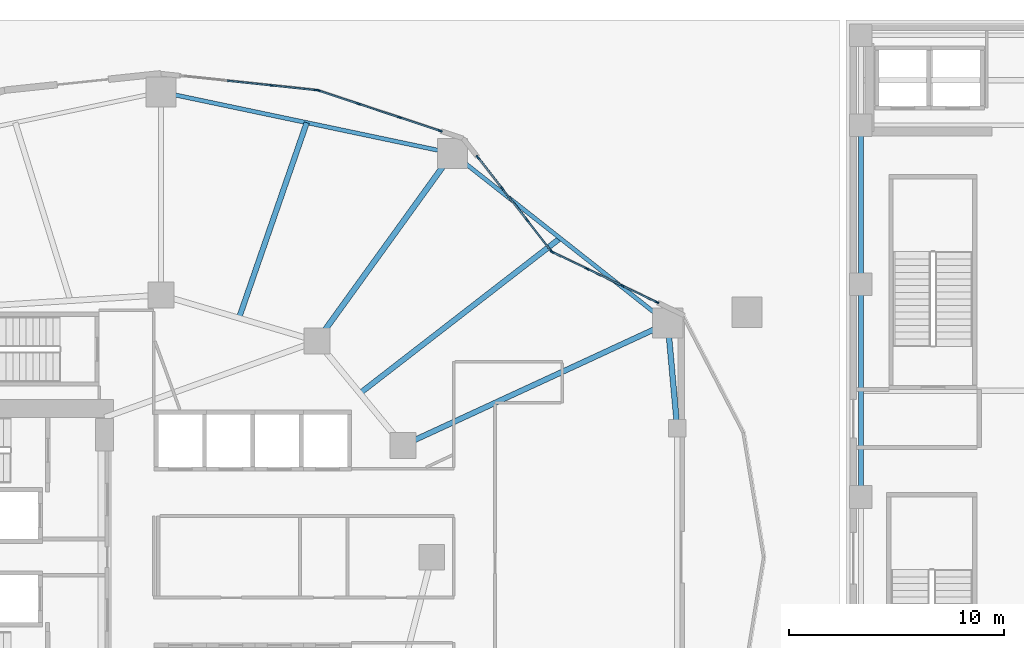
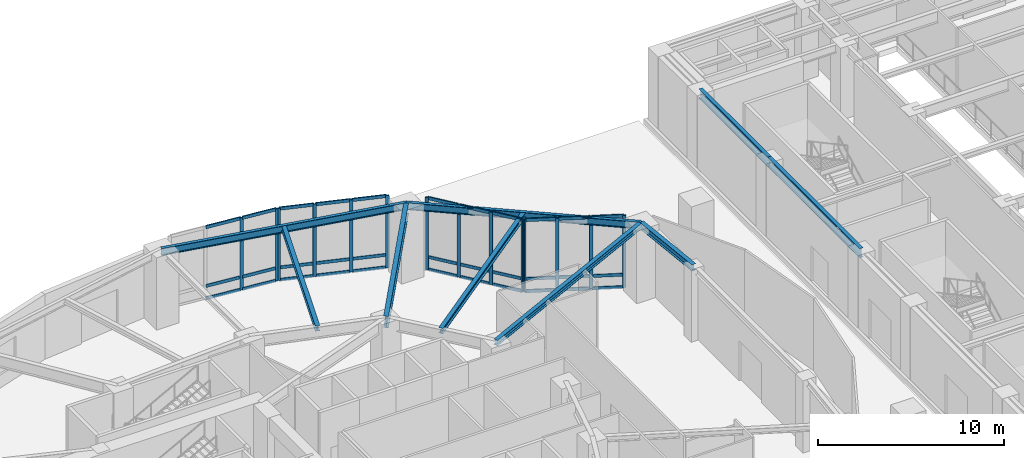
# One storey, part 7 of 23: 47 members, 9 beams, 4 elements without a shape of their own.
"""IFC4 building model written with IfcOpenShell, lengths in metres."""

import ifcopenshell
import ifcopenshell.guid

model = None  # the IFC model being written
_history = None  # IfcOwnerHistory: only IFC2X3 demands one
_inside = {}  # id of a spatial element -> (the spatial element, [elements in it])
_under = {}  # id of a project, library or spatial element -> (it, [spatial elements below it])
_declared = {}  # id of a project -> (the project, [libraries it declares])
_typed = {}  # id of a type object -> (the type object, [elements of that type])
_made_of = {}  # id of a material, layer set ... -> (it, [elements and type objects made of it])


def new_model(schema):
    """Start an empty IFC model of exactly this schema.

    Asked for "IFC4X3", IfcOpenShell would pick the latest addendum, in which some entities
    have other attributes; the version numbers below select the first issue.
    IFC2X3 requires an IfcOwnerHistory on every rooted entity: one is made here for all.
    """
    global model, _history
    if schema == "IFC4X3":
        model = ifcopenshell.file(schema_version=(4, 3, 0, 0))
    else:
        model = ifcopenshell.file(schema=schema)
    _inside.clear()
    _under.clear()
    _declared.clear()
    _typed.clear()
    _made_of.clear()
    _history = None
    if model.schema == "IFC2X3":
        org = make("IfcOrganization", Name="unknown")
        user = make(
            "IfcPersonAndOrganization",
            ThePerson=make("IfcPerson", FamilyName="unknown"),
            TheOrganization=org,
        )
        app = make(
            "IfcApplication",
            ApplicationDeveloper=org,
            Version="unknown",
            ApplicationFullName="unknown",
            ApplicationIdentifier="unknown",
        )
        _history = make(
            "IfcOwnerHistory",
            OwningUser=user,
            OwningApplication=app,
            ChangeAction="ADDED",
            CreationDate=0,
        )
    return model


def make(cls, **values):
    """One entity of the class cls with the attributes given. An attribute that is None is left unset."""
    return model.create_entity(
        cls, **{name: value for name, value in values.items() if value is not None}
    )


def rooted(cls, **values):
    """An entity with a GlobalId (a new one), such as an element, a storey or a relation."""
    return make(cls, GlobalId=ifcopenshell.guid.new(), OwnerHistory=_history, **values)


def si_unit(unit_type, name, prefix=None):
    """IfcSIUnit, for example si_unit("LENGTHUNIT", "METRE", prefix="MILLI")."""
    return make("IfcSIUnit", UnitType=unit_type, Prefix=prefix, Name=name)


def assignment(units):
    """IfcUnitAssignment: the units of a project."""
    return None if units is None else make("IfcUnitAssignment", Units=units)


def point(xyz):
    """IfcCartesianPoint."""
    return None if xyz is None else make("IfcCartesianPoint", Coordinates=xyz)


def direction(xyz):
    """IfcDirection."""
    return None if xyz is None else make("IfcDirection", DirectionRatios=xyz)


def frame(location, z_axis=None, x_axis=None):
    """IfcAxis2Placement3D, a coordinate frame: its origin and axes. An axis left out is left unset."""
    return make(
        "IfcAxis2Placement3D",
        Location=point(location),
        Axis=direction(z_axis),
        RefDirection=direction(x_axis),
    )


def frame_2d(location, x_axis=None):
    """IfcAxis2Placement2D, a coordinate frame in the plane: its origin and x axis."""
    return make(
        "IfcAxis2Placement2D", Location=point(location), RefDirection=direction(x_axis)
    )


def origin():
    """The frame at (0, 0, 0) with its axes left unset."""
    return frame((0.0, 0.0, 0.0))


def origin_2d():
    """The frame at (0, 0) in the plane with its x axis left unset."""
    return frame_2d((0.0, 0.0))


def place(relative_to, where):
    """IfcLocalPlacement: puts the frame where relative to a parent placement (None: the world)."""
    return make(
        "IfcLocalPlacement", PlacementRelTo=relative_to, RelativePlacement=where
    )


def context(
    kind, dimensions, precision=None, world=None, true_north=None, identifier=None
):
    """IfcGeometricRepresentationContext, for example the 3D "Model" context."""
    return make(
        "IfcGeometricRepresentationContext",
        ContextIdentifier=identifier,
        ContextType=kind,
        CoordinateSpaceDimension=dimensions,
        Precision=precision,
        WorldCoordinateSystem=world,
        TrueNorth=true_north,
    )


def subcontext(parent, identifier, kind, view, scale=None):
    """IfcGeometricRepresentationSubContext, for example "Body" below "Model"."""
    return make(
        "IfcGeometricRepresentationSubContext",
        ContextIdentifier=identifier,
        ContextType=kind,
        ParentContext=parent,
        TargetScale=scale,
        TargetView=view,
    )


def project(units=None, contexts=None):
    """IfcProject with its units and contexts."""
    return rooted(
        "IfcProject",
        Name="project",
        RepresentationContexts=contexts,
        UnitsInContext=assignment(units),
    )


def spatial(cls, under=None, at=None, **own):
    """A site, building, storey or space (cls), placed at a placement, below another one or the project."""
    s = rooted(cls, ObjectPlacement=at, **own)
    if under is not None:
        _under.setdefault(under.id(), (under, []))[1].append(s)
    return s


def profile(cls, at=None, kind="AREA", **sizes):
    """A parametric profile (cls). Its sizes go by their IFC names, for example OverallWidth=200.0."""
    return make(cls, ProfileType=kind, Position=at, **sizes)


def rectangle(**sizes):
    """IfcRectangleProfileDef."""
    return profile("IfcRectangleProfileDef", **sizes)


def i_section(**sizes):
    """IfcIShapeProfileDef."""
    return profile("IfcIShapeProfileDef", **sizes)


def extrude(swept, where, along, depth):
    """IfcExtrudedAreaSolid: the profile swept, set in the frame where, extruded along a direction by depth."""
    return make(
        "IfcExtrudedAreaSolid",
        SweptArea=swept,
        Position=where,
        ExtrudedDirection=direction(along),
        Depth=depth,
    )


def shape(context_of_items, identifier, shape_type, items):
    """IfcShapeRepresentation: the items that make up one representation, for example the "Body"."""
    return make(
        "IfcShapeRepresentation",
        ContextOfItems=context_of_items,
        RepresentationIdentifier=identifier,
        RepresentationType=shape_type,
        Items=items,
    )


def material(Name=None, Category=None):
    """IfcMaterial."""
    return make("IfcMaterial", Name=Name, Category=Category)


def layer(
    of_material, thickness, ventilated=None, Name=None, Category=None, Priority=None
):
    """IfcMaterialLayer: one layer of a wall or slab, of a material (None: an air gap)."""
    return make(
        "IfcMaterialLayer",
        Material=of_material,
        LayerThickness=thickness,
        IsVentilated=ventilated,
        Name=Name,
        Category=Category,
        Priority=Priority,
    )


def layer_set(layers, Name=None):
    """IfcMaterialLayerSet."""
    return make("IfcMaterialLayerSet", MaterialLayers=layers, LayerSetName=Name)


def material_profile(
    of_material, cross_section, Name=None, Category=None, Priority=None
):
    """IfcMaterialProfile: a cross section and its material."""
    return make(
        "IfcMaterialProfile",
        Name=Name,
        Material=of_material,
        Profile=cross_section,
        Priority=Priority,
        Category=Category,
    )


def profile_set(profiles, Name=None, composite=None):
    """IfcMaterialProfileSet."""
    return make(
        "IfcMaterialProfileSet",
        Name=Name,
        MaterialProfiles=profiles,
        CompositeProfile=composite,
    )


def made_of(thing, what):
    """Note that an element or type object is made of a material, layer set ...; save() writes the relation."""
    if what is not None:
        _made_of.setdefault(what.id(), (what, []))[1].append(thing)
    return thing


def type_object(cls, material=None, **own):
    """A type object (cls), such as IfcWallType, which elements share."""
    return made_of(rooted(cls, **own), material)


def element(
    cls,
    number,
    at=None,
    inside=None,
    cuts=None,
    type_object=None,
    material=None,
    context=None,
    identifier="Body",
    shape_type=None,
    held_by="IfcProductDefinitionShape",
    body=None,
    shapes=None,
    **own,
):
    """One element of the class cls, such as IfcWall. Its Tag is "e" and its number.

    at: its placement. inside: the storey or other place that contains it. cuts: it is an
    opening in that element (IfcRelVoidsElement). A single representation is given by context,
    identifier, shape_type and body (its items); several are given by shapes. held_by: the class
    of the entity that holds the representations. save() writes the other relations.
    """
    e = rooted(cls, Tag="e%d" % number, ObjectPlacement=at, **own)
    if body is not None:
        shapes = [shape(context, identifier, shape_type, body)]
    if shapes is not None:
        e.Representation = make(held_by, Representations=shapes)
    if inside is not None:
        _inside.setdefault(inside.id(), (inside, []))[1].append(e)
    if cuts is not None:
        rooted(
            "IfcRelVoidsElement", RelatingBuildingElement=cuts, RelatedOpeningElement=e
        )
    if type_object is not None:
        _typed.setdefault(type_object.id(), (type_object, []))[1].append(e)
    return made_of(e, material)


def aggregate(whole, parts):
    """IfcRelAggregates: a whole, such as a stair, and the parts it consists of."""
    return rooted("IfcRelAggregates", RelatingObject=whole, RelatedObjects=parts)


def save(model, path):
    """Write the relations noted so far, then the file.

    IfcRelAggregates (storeys below a building ...), IfcRelContainedInSpatialStructure (elements
    in a storey), IfcRelDefinesByType, IfcRelAssociatesMaterial and IfcRelDeclares: one each for
    every whole, place, type object, material and project.
    """
    for whole, parts in _under.values():
        aggregate(whole, parts)
    for where, things in _inside.values():
        rooted(
            "IfcRelContainedInSpatialStructure",
            RelatedElements=things,
            RelatingStructure=where,
        )
    for kind, things in _typed.values():
        rooted("IfcRelDefinesByType", RelatedObjects=things, RelatingType=kind)
    for what, things in _made_of.values():
        rooted("IfcRelAssociatesMaterial", RelatedObjects=things, RelatingMaterial=what)
    for by, libraries in _declared.values():
        rooted("IfcRelDeclares", RelatingContext=by, RelatedDefinitions=libraries)
    model.write(path)


model = new_model("IFC4")

# Units and contexts
model_context = context("Model", 3, precision=1e-05, world=origin(), true_north=direction((0.0, 1.0)))
body_context = subcontext(model_context, "Body", "Model", "MODEL_VIEW")
ifc_project = project(units=[si_unit("LENGTHUNIT", "METRE"), si_unit("AREAUNIT", "SQUARE_METRE"), si_unit("VOLUMEUNIT", "CUBIC_METRE"), si_unit("PLANEANGLEUNIT", "RADIAN"), si_unit("MASSUNIT", "GRAM", prefix="KILO")], contexts=[model_context])

# Site, building, storey
site_placement = place(None, origin())
site = spatial("IfcSite", under=ifc_project, at=site_placement, CompositionType="ELEMENT")
building_placement = place(site_placement, origin())
building = spatial("IfcBuilding", under=site, at=building_placement, Name="Kolvaren Gate Tower and Convention Centre", CompositionType="ELEMENT")
storey_placement = place(building_placement, origin())
storey = spatial("IfcBuildingStorey", under=building, at=storey_placement, Name="L00", CompositionType="ELEMENT", Elevation=0.0)

# Curtain wall, members
ifc_material_1 = material(Name="Anodized Architectural Aluminium Alloy 6063-T6", Category="aluminium")
ifc_layer = layer(ifc_material_1, 0.179931640625)
ifc_layer_set = layer_set([ifc_layer], Name="Anodized Architectural Aluminium Alloy 6063-T6")
curtain_wall_type = type_object("IfcCurtainWallType", Name="CW-POD-GLZ", PredefinedType="NOTDEFINED", material=ifc_layer_set)
curtain_wall_1_placement = place(storey_placement, origin())
curtain_wall_1 = element("IfcCurtainWall", 1, at=curtain_wall_1_placement, inside=storey, type_object=curtain_wall_type, Name="Tower L00 Unitised Curtain Wall CW-POD-GLZ Bay 02", PredefinedType="NOTDEFINED")
ifc_material_profile_1 = material_profile(ifc_material_1, rectangle(XDim=0.074951171875, YDim=0.199951171875, at=origin_2d()), Name="CW-MEM-MUL-200")
ifc_profile_set_1 = profile_set([ifc_material_profile_1], Name="Anodized Architectural Aluminium Alloy 6063-T6")
member_type_1 = type_object("IfcMemberType", Name="CW-MEM-MUL-200", PredefinedType="MULLION", material=ifc_profile_set_1)
member_1_placement = place(storey_placement, frame((48.34912109375, 41.196533203125, 0.0), z_axis=(0.0, 0.0, 1.0), x_axis=(0.433062688542, 0.90136380435, 0.0)))
member_1 = element("IfcMember", 2, at=member_1_placement, type_object=member_type_1, Name="CW-01 mullion 1", PredefinedType="MULLION", context=body_context, shape_type="SweptSolid", body=[
    extrude(rectangle(XDim=0.074951171875, YDim=0.199951171875, at=origin_2d()), origin(), (0.0, 0.0, 1.0), 4.739990234375),
])
member_2_placement = place(storey_placement, frame((49.955810546875, 40.424560546875, 0.0), z_axis=(0.0, 0.0, 1.0), x_axis=(0.433062688542, 0.90136380435, 0.0)))
member_2 = element("IfcMember", 3, at=member_2_placement, type_object=member_type_1, Name="CW-01 mullion 2", PredefinedType="MULLION", context=body_context, shape_type="SweptSolid", body=[
    extrude(rectangle(XDim=0.074951171875, YDim=0.199951171875, at=origin_2d()), origin(), (0.0, 0.0, 1.0), 4.739990234375),
])
member_3_placement = place(storey_placement, frame((51.59619140625, 39.636474609375, 0.0), z_axis=(0.0, 0.0, 1.0), x_axis=(0.433062688542, 0.90136380435, 0.0)))
member_3 = element("IfcMember", 4, at=member_3_placement, type_object=member_type_1, Name="CW-01 mullion 3", PredefinedType="MULLION", context=body_context, shape_type="SweptSolid", body=[
    extrude(rectangle(XDim=0.074951171875, YDim=0.199951171875, at=origin_2d()), origin(), (0.0, 0.0, 1.0), 4.739990234375),
])
member_4_placement = place(storey_placement, frame((53.202880859375, 38.864501953125, 0.0), z_axis=(0.0, 0.0, 1.0), x_axis=(0.433062688542, 0.90136380435, 0.0)))
member_4 = element("IfcMember", 5, at=member_4_placement, type_object=member_type_1, Name="CW-01 mullion 4", PredefinedType="MULLION", context=body_context, shape_type="SweptSolid", body=[
    extrude(rectangle(XDim=0.074951171875, YDim=0.199951171875, at=origin_2d()), origin(), (0.0, 0.0, 1.0), 4.739990234375),
])

curtain_wall_2_placement = place(storey_placement, origin())
curtain_wall_2 = element("IfcCurtainWall", 6, at=curtain_wall_2_placement, inside=storey, type_object=curtain_wall_type, Name="Tower L00 Unitised Curtain Wall CW-POD-GLZ Bay 03", PredefinedType="NOTDEFINED")
member_5_placement = place(storey_placement, frame((44.8740234375, 45.60888671875, 0.0), z_axis=(0.0, 0.0, 1.0), x_axis=(0.787413004527, 0.616425794643, 0.0)))
member_5 = element("IfcMember", 7, at=member_5_placement, type_object=member_type_1, Name="CW-01 mullion 1", PredefinedType="MULLION", context=body_context, shape_type="SweptSolid", body=[
    extrude(rectangle(XDim=0.074951171875, YDim=0.199951171875, at=origin_2d()), origin(), (0.0, 0.0, 1.0), 4.739990234375),
])
member_6_placement = place(storey_placement, frame((46.005615234375, 44.1630859375, 0.0), z_axis=(0.0, 0.0, 1.0), x_axis=(0.787413004527, 0.616425794643, 0.0)))
member_6 = element("IfcMember", 8, at=member_6_placement, type_object=member_type_1, Name="CW-01 mullion 2", PredefinedType="MULLION", context=body_context, shape_type="SweptSolid", body=[
    extrude(rectangle(XDim=0.074951171875, YDim=0.199951171875, at=origin_2d()), origin(), (0.0, 0.0, 1.0), 4.739990234375),
])
member_7_placement = place(storey_placement, frame((47.160400390625, 42.68798828125, 0.0), z_axis=(0.0, 0.0, 1.0), x_axis=(0.787413004527, 0.616425794643, 0.0)))
member_7 = element("IfcMember", 9, at=member_7_placement, type_object=member_type_1, Name="CW-01 mullion 3", PredefinedType="MULLION", context=body_context, shape_type="SweptSolid", body=[
    extrude(rectangle(XDim=0.074951171875, YDim=0.199951171875, at=origin_2d()), origin(), (0.0, 0.0, 1.0), 4.739990234375),
])
member_8_placement = place(storey_placement, frame((48.292236328125, 41.242431640625, 0.0), z_axis=(0.0, 0.0, 1.0), x_axis=(0.787413004527, 0.616425794643, 0.0)))
member_8 = element("IfcMember", 10, at=member_8_placement, type_object=member_type_1, Name="CW-01 mullion 4", PredefinedType="MULLION", context=body_context, shape_type="SweptSolid", body=[
    extrude(rectangle(XDim=0.074951171875, YDim=0.199951171875, at=origin_2d()), origin(), (0.0, 0.0, 1.0), 4.739990234375),
])

curtain_wall_3_placement = place(storey_placement, origin())
curtain_wall_3 = element("IfcCurtainWall", 11, at=curtain_wall_3_placement, inside=storey, type_object=curtain_wall_type, Name="Tower L00 Unitised Curtain Wall CW-POD-GLZ Bay 04", PredefinedType="NOTDEFINED")
member_9_placement = place(storey_placement, frame((37.43994140625, 48.721435546875, 0.0), z_axis=(0.0, 0.0, 1.0), x_axis=(0.314541602786, 0.949243688479, 0.0)))
member_9 = element("IfcMember", 12, at=member_9_placement, type_object=member_type_1, Name="CW-01 mullion 1", PredefinedType="MULLION", context=body_context, shape_type="SweptSolid", body=[
    extrude(rectangle(XDim=0.074951171875, YDim=0.199951171875, at=origin_2d()), origin(), (0.0, 0.0, 1.0), 4.739990234375),
])
member_10_placement = place(storey_placement, frame((39.31884765625, 48.098876953125, 0.0), z_axis=(0.0, 0.0, 1.0), x_axis=(0.314541602786, 0.949243688479, 0.0)))
member_10 = element("IfcMember", 13, at=member_10_placement, type_object=member_type_1, Name="CW-01 mullion 2", PredefinedType="MULLION", context=body_context, shape_type="SweptSolid", body=[
    extrude(rectangle(XDim=0.074951171875, YDim=0.199951171875, at=origin_2d()), origin(), (0.0, 0.0, 1.0), 4.739990234375),
])
member_11_placement = place(storey_placement, frame((41.233642578125, 47.46435546875, 0.0), z_axis=(0.0, 0.0, 1.0), x_axis=(0.314541602786, 0.949243688479, 0.0)))
member_11 = element("IfcMember", 14, at=member_11_placement, type_object=member_type_1, Name="CW-01 mullion 3", PredefinedType="MULLION", context=body_context, shape_type="SweptSolid", body=[
    extrude(rectangle(XDim=0.074951171875, YDim=0.199951171875, at=origin_2d()), origin(), (0.0, 0.0, 1.0), 4.739990234375),
])
member_12_placement = place(storey_placement, frame((43.112548828125, 46.841796875, 0.0), z_axis=(0.0, 0.0, 1.0), x_axis=(0.314541602786, 0.949243688479, 0.0)))
member_12 = element("IfcMember", 15, at=member_12_placement, type_object=member_type_1, Name="CW-01 mullion 4", PredefinedType="MULLION", context=body_context, shape_type="SweptSolid", body=[
    extrude(rectangle(XDim=0.074951171875, YDim=0.199951171875, at=origin_2d()), origin(), (0.0, 0.0, 1.0), 4.739990234375),
])

curtain_wall_4_placement = place(storey_placement, origin())
curtain_wall_4 = element("IfcCurtainWall", 16, at=curtain_wall_4_placement, inside=storey, type_object=curtain_wall_type, Name="Tower L00 Unitised Curtain Wall CW-POD-GLZ Bay 05", PredefinedType="NOTDEFINED")
member_13_placement = place(storey_placement, frame((35.285888671875, 48.95654296875, 0.0), z_axis=(0.0, 0.0, 1.0), x_axis=(0.104748319841, 0.994498762941, 0.0)))
member_13 = element("IfcMember", 17, at=member_13_placement, type_object=member_type_1, Name="CW-01 mullion 3", PredefinedType="MULLION", context=body_context, shape_type="SweptSolid", body=[
    extrude(rectangle(XDim=0.074951171875, YDim=0.199951171875, at=origin_2d()), origin(), (0.0, 0.0, 1.0), 4.739990234375),
])
member_14_placement = place(storey_placement, frame((37.366943359375, 48.7373046875, 0.0), z_axis=(0.0, 0.0, 1.0), x_axis=(0.104748319841, 0.994498762941, 0.0)))
member_14 = element("IfcMember", 18, at=member_14_placement, type_object=member_type_1, Name="CW-01 mullion 4", PredefinedType="MULLION", context=body_context, shape_type="SweptSolid", body=[
    extrude(rectangle(XDim=0.074951171875, YDim=0.199951171875, at=origin_2d()), origin(), (0.0, 0.0, 1.0), 4.739990234375),
])

# Member
ifc_material_profile_2 = material_profile(ifc_material_1, rectangle(XDim=0.074951171875, YDim=0.199951171875, at=origin_2d()), Name="CW-MEM-TRN-200")
ifc_profile_set_2 = profile_set([ifc_material_profile_2], Name="Anodized Architectural Aluminium Alloy 6063-T6")
member_type_2 = type_object("IfcMemberType", Name="CW-MEM-TRN-200", PredefinedType="USERDEFINED", material=ifc_profile_set_2)
member_15_placement = place(storey_placement, frame((48.3828125, 41.180419921875, 0.03759765625), z_axis=(0.9013511863, -0.433088950397, 0.0), x_axis=(0.433088950397, 0.9013511863, 0.0)))
member_15 = element("IfcMember", 19, at=member_15_placement, type_object=member_type_2, Name="CW-01 transom 1.1", ObjectType="TRANSOM", PredefinedType="USERDEFINED", context=body_context, shape_type="SweptSolid", body=[
    extrude(rectangle(XDim=0.074951171875, YDim=0.199951171875, at=origin_2d()), origin(), (0.0, 0.0, 1.0), 1.70751953125),
])

member_16_placement = place(storey_placement, frame((48.3828125, 41.180419921875, 0.85009765625), z_axis=(0.9013511863, -0.433088950397, 0.0), x_axis=(0.433088950397, 0.9013511863, 0.0)))
member_16 = element("IfcMember", 20, at=member_16_placement, type_object=member_type_2, Name="CW-01 transom 1.2", ObjectType="TRANSOM", PredefinedType="USERDEFINED", context=body_context, shape_type="SweptSolid", body=[
    extrude(rectangle(XDim=0.074951171875, YDim=0.199951171875, at=origin_2d()), origin(), (0.0, 0.0, 1.0), 1.70751953125),
])

member_17_placement = place(storey_placement, frame((48.3828125, 41.180419921875, 4.702392578125), z_axis=(0.9013511863, -0.433088950397, 0.0), x_axis=(0.433088950397, 0.9013511863, 0.0)))
member_17 = element("IfcMember", 21, at=member_17_placement, type_object=member_type_2, Name="CW-01 transom 1.3", ObjectType="TRANSOM", PredefinedType="USERDEFINED", context=body_context, shape_type="SweptSolid", body=[
    extrude(rectangle(XDim=0.074951171875, YDim=0.199951171875, at=origin_2d()), origin(), (0.0, 0.0, 1.0), 1.70751953125),
])

member_18_placement = place(storey_placement, frame((49.989501953125, 40.408447265625, 0.03759765625), z_axis=(0.901339603895, -0.433113055046, 0.0), x_axis=(0.433113055046, 0.901339603895, 0.0)))
member_18 = element("IfcMember", 22, at=member_18_placement, type_object=member_type_2, Name="CW-01 transom 2.1", ObjectType="TRANSOM", PredefinedType="USERDEFINED", context=body_context, shape_type="SweptSolid", body=[
    extrude(rectangle(XDim=0.074951171875, YDim=0.199951171875, at=origin_2d()), origin(), (0.0, 0.0, 1.0), 1.7451171875),
])

member_19_placement = place(storey_placement, frame((49.989501953125, 40.408447265625, 0.85009765625), z_axis=(0.901339603895, -0.433113055046, 0.0), x_axis=(0.433113055046, 0.901339603895, 0.0)))
member_19 = element("IfcMember", 23, at=member_19_placement, type_object=member_type_2, Name="CW-01 transom 2.2", ObjectType="TRANSOM", PredefinedType="USERDEFINED", context=body_context, shape_type="SweptSolid", body=[
    extrude(rectangle(XDim=0.074951171875, YDim=0.199951171875, at=origin_2d()), origin(), (0.0, 0.0, 1.0), 1.7451171875),
])

member_20_placement = place(storey_placement, frame((49.989501953125, 40.408447265625, 4.702392578125), z_axis=(0.901339603895, -0.433113055046, 0.0), x_axis=(0.433113055046, 0.901339603895, 0.0)))
member_20 = element("IfcMember", 24, at=member_20_placement, type_object=member_type_2, Name="CW-01 transom 2.3", ObjectType="TRANSOM", PredefinedType="USERDEFINED", context=body_context, shape_type="SweptSolid", body=[
    extrude(rectangle(XDim=0.074951171875, YDim=0.199951171875, at=origin_2d()), origin(), (0.0, 0.0, 1.0), 1.7451171875),
])

member_21_placement = place(storey_placement, frame((51.630126953125, 39.6201171875, 0.03759765625), z_axis=(0.901406997018, -0.432972777121, 0.0), x_axis=(0.432972777121, 0.901406997018, 0.0)))
member_21 = element("IfcMember", 25, at=member_21_placement, type_object=member_type_2, Name="CW-01 transom 3.1", ObjectType="TRANSOM", PredefinedType="USERDEFINED", context=body_context, shape_type="SweptSolid", body=[
    extrude(rectangle(XDim=0.074951171875, YDim=0.199951171875, at=origin_2d()), origin(), (0.0, 0.0, 1.0), 1.70751953125),
])

member_22_placement = place(storey_placement, frame((51.630126953125, 39.6201171875, 0.85009765625), z_axis=(0.901406997018, -0.432972777121, 0.0), x_axis=(0.432972777121, 0.901406997018, 0.0)))
member_22 = element("IfcMember", 26, at=member_22_placement, type_object=member_type_2, Name="CW-01 transom 3.2", ObjectType="TRANSOM", PredefinedType="USERDEFINED", context=body_context, shape_type="SweptSolid", body=[
    extrude(rectangle(XDim=0.074951171875, YDim=0.199951171875, at=origin_2d()), origin(), (0.0, 0.0, 1.0), 1.70751953125),
])

member_23_placement = place(storey_placement, frame((51.630126953125, 39.6201171875, 4.702392578125), z_axis=(0.901406997018, -0.432972777121, 0.0), x_axis=(0.432972777121, 0.901406997018, 0.0)))
member_23 = element("IfcMember", 27, at=member_23_placement, type_object=member_type_2, Name="CW-01 transom 3.3", ObjectType="TRANSOM", PredefinedType="USERDEFINED", context=body_context, shape_type="SweptSolid", body=[
    extrude(rectangle(XDim=0.074951171875, YDim=0.199951171875, at=origin_2d()), origin(), (0.0, 0.0, 1.0), 1.70751953125),
])

aggregate(curtain_wall_1, [member_1, member_2, member_3, member_4, member_15, member_16, member_17, member_18, member_19, member_20, member_21, member_22, member_23])

member_24_placement = place(storey_placement, frame((44.89697265625, 45.579345703125, 0.03759765625), z_axis=(0.616375545802, -0.787452339216, 0.0), x_axis=(0.787452339216, 0.616375545802, 0.0)))
member_24 = element("IfcMember", 28, at=member_24_placement, type_object=member_type_2, Name="CW-01 transom 1.1", ObjectType="TRANSOM", PredefinedType="USERDEFINED", context=body_context, shape_type="SweptSolid", body=[
    extrude(rectangle(XDim=0.074951171875, YDim=0.199951171875, at=origin_2d()), origin(), (0.0, 0.0, 1.0), 1.760986328125),
])

member_25_placement = place(storey_placement, frame((44.89697265625, 45.579345703125, 0.85009765625), z_axis=(0.616375545802, -0.787452339216, 0.0), x_axis=(0.787452339216, 0.616375545802, 0.0)))
member_25 = element("IfcMember", 29, at=member_25_placement, type_object=member_type_2, Name="CW-01 transom 1.2", ObjectType="TRANSOM", PredefinedType="USERDEFINED", context=body_context, shape_type="SweptSolid", body=[
    extrude(rectangle(XDim=0.074951171875, YDim=0.199951171875, at=origin_2d()), origin(), (0.0, 0.0, 1.0), 1.760986328125),
])

member_26_placement = place(storey_placement, frame((44.89697265625, 45.579345703125, 4.702392578125), z_axis=(0.616375545802, -0.787452339216, 0.0), x_axis=(0.787452339216, 0.616375545802, 0.0)))
member_26 = element("IfcMember", 30, at=member_26_placement, type_object=member_type_2, Name="CW-01 transom 1.3", ObjectType="TRANSOM", PredefinedType="USERDEFINED", context=body_context, shape_type="SweptSolid", body=[
    extrude(rectangle(XDim=0.074951171875, YDim=0.199951171875, at=origin_2d()), origin(), (0.0, 0.0, 1.0), 1.760986328125),
])

member_27_placement = place(storey_placement, frame((46.02880859375, 44.133544921875, 0.03759765625), z_axis=(0.616465649316, -0.787381802694, 0.0), x_axis=(0.787381802694, 0.616465649316, 0.0)))
member_27 = element("IfcMember", 31, at=member_27_placement, type_object=member_type_2, Name="CW-01 transom 2.1", ObjectType="TRANSOM", PredefinedType="USERDEFINED", context=body_context, shape_type="SweptSolid", body=[
    extrude(rectangle(XDim=0.074951171875, YDim=0.199951171875, at=origin_2d()), origin(), (0.0, 0.0, 1.0), 1.79833984375),
])

member_28_placement = place(storey_placement, frame((46.02880859375, 44.133544921875, 0.85009765625), z_axis=(0.616465649316, -0.787381802694, 0.0), x_axis=(0.787381802694, 0.616465649316, 0.0)))
member_28 = element("IfcMember", 32, at=member_28_placement, type_object=member_type_2, Name="CW-01 transom 2.2", ObjectType="TRANSOM", PredefinedType="USERDEFINED", context=body_context, shape_type="SweptSolid", body=[
    extrude(rectangle(XDim=0.074951171875, YDim=0.199951171875, at=origin_2d()), origin(), (0.0, 0.0, 1.0), 1.79833984375),
])

member_29_placement = place(storey_placement, frame((46.02880859375, 44.133544921875, 4.702392578125), z_axis=(0.616465649316, -0.787381802694, 0.0), x_axis=(0.787381802694, 0.616465649316, 0.0)))
member_29 = element("IfcMember", 33, at=member_29_placement, type_object=member_type_2, Name="CW-01 transom 2.3", ObjectType="TRANSOM", PredefinedType="USERDEFINED", context=body_context, shape_type="SweptSolid", body=[
    extrude(rectangle(XDim=0.074951171875, YDim=0.199951171875, at=origin_2d()), origin(), (0.0, 0.0, 1.0), 1.79833984375),
])

member_30_placement = place(storey_placement, frame((47.18359375, 42.658447265625, 0.03759765625), z_axis=(0.616442840137, -0.787399660175, 0.0), x_axis=(0.787399660175, 0.616442840137, 0.0)))
member_30 = element("IfcMember", 34, at=member_30_placement, type_object=member_type_2, Name="CW-01 transom 3.1", ObjectType="TRANSOM", PredefinedType="USERDEFINED", context=body_context, shape_type="SweptSolid", body=[
    extrude(rectangle(XDim=0.074951171875, YDim=0.199951171875, at=origin_2d()), origin(), (0.0, 0.0, 1.0), 1.7607421875),
])

member_31_placement = place(storey_placement, frame((47.18359375, 42.658447265625, 0.85009765625), z_axis=(0.616442840137, -0.787399660175, 0.0), x_axis=(0.787399660175, 0.616442840137, 0.0)))
member_31 = element("IfcMember", 35, at=member_31_placement, type_object=member_type_2, Name="CW-01 transom 3.2", ObjectType="TRANSOM", PredefinedType="USERDEFINED", context=body_context, shape_type="SweptSolid", body=[
    extrude(rectangle(XDim=0.074951171875, YDim=0.199951171875, at=origin_2d()), origin(), (0.0, 0.0, 1.0), 1.7607421875),
])

member_32_placement = place(storey_placement, frame((47.18359375, 42.658447265625, 4.702392578125), z_axis=(0.616442840137, -0.787399660175, 0.0), x_axis=(0.787399660175, 0.616442840137, 0.0)))
member_32 = element("IfcMember", 36, at=member_32_placement, type_object=member_type_2, Name="CW-01 transom 3.3", ObjectType="TRANSOM", PredefinedType="USERDEFINED", context=body_context, shape_type="SweptSolid", body=[
    extrude(rectangle(XDim=0.074951171875, YDim=0.199951171875, at=origin_2d()), origin(), (0.0, 0.0, 1.0), 1.7607421875),
])

aggregate(curtain_wall_2, [member_5, member_6, member_7, member_8, member_24, member_25, member_26, member_27, member_28, member_29, member_30, member_31, member_32])

member_33_placement = place(storey_placement, frame((37.4755859375, 48.709716796875, 0.03759765625), z_axis=(0.949233065789, -0.314573658804, 0.0), x_axis=(0.314573658804, 0.949233065789, 0.0)))
member_33 = element("IfcMember", 37, at=member_33_placement, type_object=member_type_2, Name="CW-01 transom 1.1", ObjectType="TRANSOM", PredefinedType="USERDEFINED", context=body_context, shape_type="SweptSolid", body=[
    extrude(rectangle(XDim=0.074951171875, YDim=0.199951171875, at=origin_2d()), origin(), (0.0, 0.0, 1.0), 1.904541015625),
])

member_34_placement = place(storey_placement, frame((37.4755859375, 48.709716796875, 0.85009765625), z_axis=(0.949233065789, -0.314573658804, 0.0), x_axis=(0.314573658804, 0.949233065789, 0.0)))
member_34 = element("IfcMember", 38, at=member_34_placement, type_object=member_type_2, Name="CW-01 transom 1.2", ObjectType="TRANSOM", PredefinedType="USERDEFINED", context=body_context, shape_type="SweptSolid", body=[
    extrude(rectangle(XDim=0.074951171875, YDim=0.199951171875, at=origin_2d()), origin(), (0.0, 0.0, 1.0), 1.904541015625),
])

member_35_placement = place(storey_placement, frame((37.4755859375, 48.709716796875, 4.702392578125), z_axis=(0.949233065789, -0.314573658804, 0.0), x_axis=(0.314573658804, 0.949233065789, 0.0)))
member_35 = element("IfcMember", 39, at=member_35_placement, type_object=member_type_2, Name="CW-01 transom 1.3", ObjectType="TRANSOM", PredefinedType="USERDEFINED", context=body_context, shape_type="SweptSolid", body=[
    extrude(rectangle(XDim=0.074951171875, YDim=0.199951171875, at=origin_2d()), origin(), (0.0, 0.0, 1.0), 1.904541015625),
])

member_36_placement = place(storey_placement, frame((39.3544921875, 48.087158203125, 0.03759765625), z_axis=(0.949247481786, -0.314530154871, 0.0), x_axis=(0.314530154871, 0.949247481786, 0.0)))
member_36 = element("IfcMember", 40, at=member_36_placement, type_object=member_type_2, Name="CW-01 transom 2.1", ObjectType="TRANSOM", PredefinedType="USERDEFINED", context=body_context, shape_type="SweptSolid", body=[
    extrude(rectangle(XDim=0.074951171875, YDim=0.199951171875, at=origin_2d()), origin(), (0.0, 0.0, 1.0), 1.942138671875),
])

member_37_placement = place(storey_placement, frame((39.3544921875, 48.087158203125, 0.85009765625), z_axis=(0.949247481786, -0.314530154871, 0.0), x_axis=(0.314530154871, 0.949247481786, 0.0)))
member_37 = element("IfcMember", 41, at=member_37_placement, type_object=member_type_2, Name="CW-01 transom 2.2", ObjectType="TRANSOM", PredefinedType="USERDEFINED", context=body_context, shape_type="SweptSolid", body=[
    extrude(rectangle(XDim=0.074951171875, YDim=0.199951171875, at=origin_2d()), origin(), (0.0, 0.0, 1.0), 1.942138671875),
])

member_38_placement = place(storey_placement, frame((39.3544921875, 48.087158203125, 4.702392578125), z_axis=(0.949247481786, -0.314530154871, 0.0), x_axis=(0.314530154871, 0.949247481786, 0.0)))
member_38 = element("IfcMember", 42, at=member_38_placement, type_object=member_type_2, Name="CW-01 transom 2.3", ObjectType="TRANSOM", PredefinedType="USERDEFINED", context=body_context, shape_type="SweptSolid", body=[
    extrude(rectangle(XDim=0.074951171875, YDim=0.199951171875, at=origin_2d()), origin(), (0.0, 0.0, 1.0), 1.942138671875),
])

member_39_placement = place(storey_placement, frame((41.26904296875, 47.45263671875, 0.03759765625), z_axis=(0.949233065789, -0.314573658804, 0.0), x_axis=(0.314573658804, 0.949233065789, 0.0)))
member_39 = element("IfcMember", 43, at=member_39_placement, type_object=member_type_2, Name="CW-01 transom 3.1", ObjectType="TRANSOM", PredefinedType="USERDEFINED", context=body_context, shape_type="SweptSolid", body=[
    extrude(rectangle(XDim=0.074951171875, YDim=0.199951171875, at=origin_2d()), origin(), (0.0, 0.0, 1.0), 1.904541015625),
])

member_40_placement = place(storey_placement, frame((41.26904296875, 47.45263671875, 0.85009765625), z_axis=(0.949233065789, -0.314573658804, 0.0), x_axis=(0.314573658804, 0.949233065789, 0.0)))
member_40 = element("IfcMember", 44, at=member_40_placement, type_object=member_type_2, Name="CW-01 transom 3.2", ObjectType="TRANSOM", PredefinedType="USERDEFINED", context=body_context, shape_type="SweptSolid", body=[
    extrude(rectangle(XDim=0.074951171875, YDim=0.199951171875, at=origin_2d()), origin(), (0.0, 0.0, 1.0), 1.904541015625),
])

member_41_placement = place(storey_placement, frame((41.26904296875, 47.45263671875, 4.702392578125), z_axis=(0.949233065789, -0.314573658804, 0.0), x_axis=(0.314573658804, 0.949233065789, 0.0)))
member_41 = element("IfcMember", 45, at=member_41_placement, type_object=member_type_2, Name="CW-01 transom 3.3", ObjectType="TRANSOM", PredefinedType="USERDEFINED", context=body_context, shape_type="SweptSolid", body=[
    extrude(rectangle(XDim=0.074951171875, YDim=0.199951171875, at=origin_2d()), origin(), (0.0, 0.0, 1.0), 1.904541015625),
])

aggregate(curtain_wall_3, [member_9, member_10, member_11, member_12, member_33, member_34, member_35, member_36, member_37, member_38, member_39, member_40, member_41])

member_42_placement = place(storey_placement, frame((33.20458984375, 49.175537109375, 0.03759765625), z_axis=(0.994508706958, -0.104653866559, 0.0), x_axis=(0.104653866559, 0.994508706958, 0.0)))
member_42 = element("IfcMember", 46, at=member_42_placement, type_object=member_type_2, Name="CW-01 transom 2.1", ObjectType="TRANSOM", PredefinedType="USERDEFINED", context=body_context, shape_type="SweptSolid", body=[
    extrude(rectangle(XDim=0.074951171875, YDim=0.199951171875, at=origin_2d()), origin(), (0.0, 0.0, 1.0), 2.05517578125),
])

member_43_placement = place(storey_placement, frame((33.20458984375, 49.175537109375, 0.85009765625), z_axis=(0.994508706958, -0.104653866559, 0.0), x_axis=(0.104653866559, 0.994508706958, 0.0)))
member_43 = element("IfcMember", 47, at=member_43_placement, type_object=member_type_2, Name="CW-01 transom 2.2", ObjectType="TRANSOM", PredefinedType="USERDEFINED", context=body_context, shape_type="SweptSolid", body=[
    extrude(rectangle(XDim=0.074951171875, YDim=0.199951171875, at=origin_2d()), origin(), (0.0, 0.0, 1.0), 2.05517578125),
])

member_44_placement = place(storey_placement, frame((33.20458984375, 49.175537109375, 4.702392578125), z_axis=(0.994508706958, -0.104653866559, 0.0), x_axis=(0.104653866559, 0.994508706958, 0.0)))
member_44 = element("IfcMember", 48, at=member_44_placement, type_object=member_type_2, Name="CW-01 transom 2.3", ObjectType="TRANSOM", PredefinedType="USERDEFINED", context=body_context, shape_type="SweptSolid", body=[
    extrude(rectangle(XDim=0.074951171875, YDim=0.199951171875, at=origin_2d()), origin(), (0.0, 0.0, 1.0), 2.05517578125),
])

member_45_placement = place(storey_placement, frame((35.3232421875, 48.952392578125, 0.03759765625), z_axis=(0.9945074418, -0.104665888448, 0.0), x_axis=(0.104665888448, 0.9945074418, 0.0)))
member_45 = element("IfcMember", 49, at=member_45_placement, type_object=member_type_2, Name="CW-01 transom 3.1", ObjectType="TRANSOM", PredefinedType="USERDEFINED", context=body_context, shape_type="SweptSolid", body=[
    extrude(rectangle(XDim=0.074951171875, YDim=0.199951171875, at=origin_2d()), origin(), (0.0, 0.0, 1.0), 2.017578125),
])

member_46_placement = place(storey_placement, frame((35.3232421875, 48.952392578125, 0.85009765625), z_axis=(0.9945074418, -0.104665888448, 0.0), x_axis=(0.104665888448, 0.9945074418, 0.0)))
member_46 = element("IfcMember", 50, at=member_46_placement, type_object=member_type_2, Name="CW-01 transom 3.2", ObjectType="TRANSOM", PredefinedType="USERDEFINED", context=body_context, shape_type="SweptSolid", body=[
    extrude(rectangle(XDim=0.074951171875, YDim=0.199951171875, at=origin_2d()), origin(), (0.0, 0.0, 1.0), 2.017578125),
])

member_47_placement = place(storey_placement, frame((35.3232421875, 48.952392578125, 4.702392578125), z_axis=(0.9945074418, -0.104665888448, 0.0), x_axis=(0.104665888448, 0.9945074418, 0.0)))
member_47 = element("IfcMember", 51, at=member_47_placement, type_object=member_type_2, Name="CW-01 transom 3.3", ObjectType="TRANSOM", PredefinedType="USERDEFINED", context=body_context, shape_type="SweptSolid", body=[
    extrude(rectangle(XDim=0.074951171875, YDim=0.199951171875, at=origin_2d()), origin(), (0.0, 0.0, 1.0), 2.017578125),
])

aggregate(curtain_wall_4, [member_13, member_14, member_42, member_43, member_44, member_45, member_46, member_47])

# Beams
ifc_material_2 = material(Name="Structural steel ASTM A992 Grade 345 MPa", Category="steel")
ifc_material_profile_3 = material_profile(ifc_material_2, i_section(OverallWidth=0.260986328125, OverallDepth=0.419921875, WebThickness=0.01171875, FlangeThickness=0.019287109375, at=origin_2d()), Name="W410X114")
ifc_profile_set_3 = profile_set([ifc_material_profile_3], Name="Structural steel ASTM A992 Grade 345 MPa")
beam_type_1 = type_object("IfcBeamType", Name="STR-BM-W410X114", PredefinedType="BEAM", material=ifc_profile_set_3)
beam_1_placement = place(storey_placement, frame((54.14990234375, 33.0, 4.530029296875), z_axis=(-0.089491797753, 0.995987559227, 0.0), x_axis=(-0.995987559227, -0.089491797753, 0.0)))
element("IfcBeam", 52, at=beam_1_placement, inside=storey, type_object=beam_type_1, Name="Tower L00 Recessed Arch Edge Spandrel AE-3", PredefinedType="BEAM", context=body_context, shape_type="SweptSolid", body=[
    extrude(i_section(OverallWidth=0.260986328125, OverallDepth=0.419921875, WebThickness=0.01171875, FlangeThickness=0.019287109375, at=origin_2d()), origin(), (0.0, 0.0, 1.0), 4.913330078125),
])
ifc_material_profile_4 = material_profile(ifc_material_2, i_section(OverallWidth=0.22998046875, OverallDepth=0.616943359375, WebThickness=0.01318359375, FlangeThickness=0.022216796875, at=origin_2d()), Name="W610X140")
ifc_profile_set_4 = profile_set([ifc_material_profile_4], Name="Structural steel ASTM A992 Grade 345 MPa")
beam_type_2 = type_object("IfcBeamType", Name="STR-BM-W610X140", PredefinedType="BEAM", material=ifc_profile_set_4)
beam_2_placement = place(storey_placement, frame((62.699951171875, 29.800048828125, 4.431396484375), z_axis=(0.0, 1.0, 0.0), x_axis=(-1.0, 0.0, 0.0)))
element("IfcBeam", 53, at=beam_2_placement, inside=storey, type_object=beam_type_2, Name="Convention L00 Longitudinal Girder CG-15", PredefinedType="BEAM", context=body_context, shape_type="SweptSolid", body=[
    extrude(i_section(OverallWidth=0.22998046875, OverallDepth=0.616943359375, WebThickness=0.01318359375, FlangeThickness=0.022216796875, at=origin_2d()), origin(), (0.0, 0.0, 1.0), 9.89990234375),
])
beam_3_placement = place(storey_placement, frame((62.699951171875, 39.699951171875, 4.431396484375), z_axis=(0.0, 1.0, 0.0), x_axis=(-1.0, 0.0, 0.0)))
element("IfcBeam", 54, at=beam_3_placement, inside=storey, type_object=beam_type_2, Name="Convention L00 Longitudinal Girder CG-16", PredefinedType="BEAM", context=body_context, shape_type="SweptSolid", body=[
    extrude(i_section(OverallWidth=0.22998046875, OverallDepth=0.616943359375, WebThickness=0.01318359375, FlangeThickness=0.022216796875, at=origin_2d()), origin(), (0.0, 0.0, 1.0), 7.400146484375),
])
ifc_material_profile_5 = material_profile(ifc_material_2, i_section(OverallWidth=0.26806640625, OverallDepth=0.758056640625, WebThickness=0.016357421875, FlangeThickness=0.025390625, at=origin_2d()), Name="W760X220")
ifc_profile_set_5 = profile_set([ifc_material_profile_5], Name="Structural steel ASTM A992 Grade 345 MPa")
beam_type_3 = type_object("IfcBeamType", Name="STR-BM-W760X220", PredefinedType="BEAM", material=ifc_profile_set_5)
beam_4_placement = place(storey_placement, frame((37.381591796875, 37.054931640625, 4.361083984375), z_axis=(0.585205244783, 0.81088520857, 0.0), x_axis=(-0.81088520857, 0.585205244783, 0.0)))
element("IfcBeam", 55, at=beam_4_placement, inside=storey, type_object=beam_type_3, Name="Tower L00 Radial Floor Girder RB-03", PredefinedType="BEAM", context=body_context, shape_type="SweptSolid", body=[
    extrude(i_section(OverallWidth=0.26806640625, OverallDepth=0.758056640625, WebThickness=0.016357421875, FlangeThickness=0.025390625, at=origin_2d()), origin(), (0.0, 0.0, 1.0), 10.780029296875),
])
ifc_material_profile_6 = material_profile(ifc_material_2, i_section(OverallWidth=0.2548828125, OverallDepth=0.35693359375, WebThickness=0.010498046875, FlangeThickness=0.018310546875, at=origin_2d()), Name="W360X101")
ifc_profile_set_6 = profile_set([ifc_material_profile_6], Name="Structural steel ASTM A992 Grade 345 MPa")
beam_type_4 = type_object("IfcBeamType", Name="STR-JS-W360X101", PredefinedType="JOIST", material=ifc_profile_set_6)
beam_5_placement = place(storey_placement, frame((41.382080078125, 32.199462890625, 4.5615234375), z_axis=(0.907842006347, 0.419312403241, 0.0), x_axis=(-0.419312403241, 0.907842006347, 0.0)))
element("IfcBeam", 56, at=beam_5_placement, inside=storey, type_object=beam_type_4, Name="Tower L00 Radial Floor Girder RB-02", PredefinedType="JOIST", context=body_context, shape_type="SweptSolid", body=[
    extrude(i_section(OverallWidth=0.2548828125, OverallDepth=0.35693359375, WebThickness=0.010498046875, FlangeThickness=0.018310546875, at=origin_2d()), origin(), (0.0, 0.0, 1.0), 13.57958984375),
])
beam_6_placement = place(storey_placement, frame((39.3818359375, 34.627197265625, 4.5615234375), z_axis=(0.790577493994, 0.612362005671, 0.0), x_axis=(-0.612362005671, 0.790577493994, 0.0)))
element("IfcBeam", 57, at=beam_6_placement, inside=storey, type_object=beam_type_4, Name="Tower L00 Secondary Composite Floor Joist J-02.1", PredefinedType="JOIST", context=body_context, shape_type="SweptSolid", body=[
    extrude(i_section(OverallWidth=0.2548828125, OverallDepth=0.35693359375, WebThickness=0.010498046875, FlangeThickness=0.018310546875, at=origin_2d()), origin(), (0.0, 0.0, 1.0), 11.786865234375),
])
beam_7_placement = place(storey_placement, frame((33.75341796875, 38.12744140625, 4.5615234375), z_axis=(0.327647050942, 0.944800195813, 0.0), x_axis=(-0.944800195813, 0.327647050942, 0.0)))
element("IfcBeam", 58, at=beam_7_placement, inside=storey, type_object=beam_type_4, Name="Tower L00 Secondary Composite Floor Joist J-03.1", PredefinedType="JOIST", context=body_context, shape_type="SweptSolid", body=[
    extrude(i_section(OverallWidth=0.2548828125, OverallDepth=0.35693359375, WebThickness=0.010498046875, FlangeThickness=0.018310546875, at=origin_2d()), origin(), (0.0, 0.0, 1.0), 9.627197265625),
])
ifc_material_profile_7 = material_profile(ifc_material_2, i_section(OverallWidth=0.194091796875, OverallDepth=0.468994140625, WebThickness=0.0126953125, FlangeThickness=0.0205078125, at=origin_2d()), Name="W460X106")
ifc_profile_set_7 = profile_set([ifc_material_profile_7], Name="Structural steel ASTM A992 Grade 345 MPa")
beam_type_5 = type_object("IfcBeamType", Name="STR-SP-W460X106", PredefinedType="SPANDREL", material=ifc_profile_set_7)
beam_8_placement = place(storey_placement, frame((53.710205078125, 37.8935546875, 4.505615234375), z_axis=(-0.785176498861, 0.619272044933, 0.0), x_axis=(-0.619272044933, -0.785176498861, 0.0)))
element("IfcBeam", 59, at=beam_8_placement, inside=storey, type_object=beam_type_5, Name="Tower L00 Perimeter Spandrel Beam SP-02", PredefinedType="SPANDREL", context=body_context, shape_type="SweptSolid", body=[
    extrude(i_section(OverallWidth=0.194091796875, OverallDepth=0.468994140625, WebThickness=0.0126953125, FlangeThickness=0.0205078125, at=origin_2d()), origin(), (0.0, 0.0, 1.0), 12.761474609375),
])
beam_9_placement = place(storey_placement, frame((43.690185546875, 45.79638671875, 4.505615234375), z_axis=(-0.978583407863, 0.205850707685, 0.0), x_axis=(-0.205850707685, -0.978583407863, 0.0)))
element("IfcBeam", 60, at=beam_9_placement, inside=storey, type_object=beam_type_5, Name="Tower L00 Perimeter Spandrel Beam SP-03", PredefinedType="SPANDREL", context=body_context, shape_type="SweptSolid", body=[
    extrude(i_section(OverallWidth=0.194091796875, OverallDepth=0.468994140625, WebThickness=0.0126953125, FlangeThickness=0.0205078125, at=origin_2d()), origin(), (0.0, 0.0, 1.0), 13.862060546875),
])

save(model, "model.ifc")
